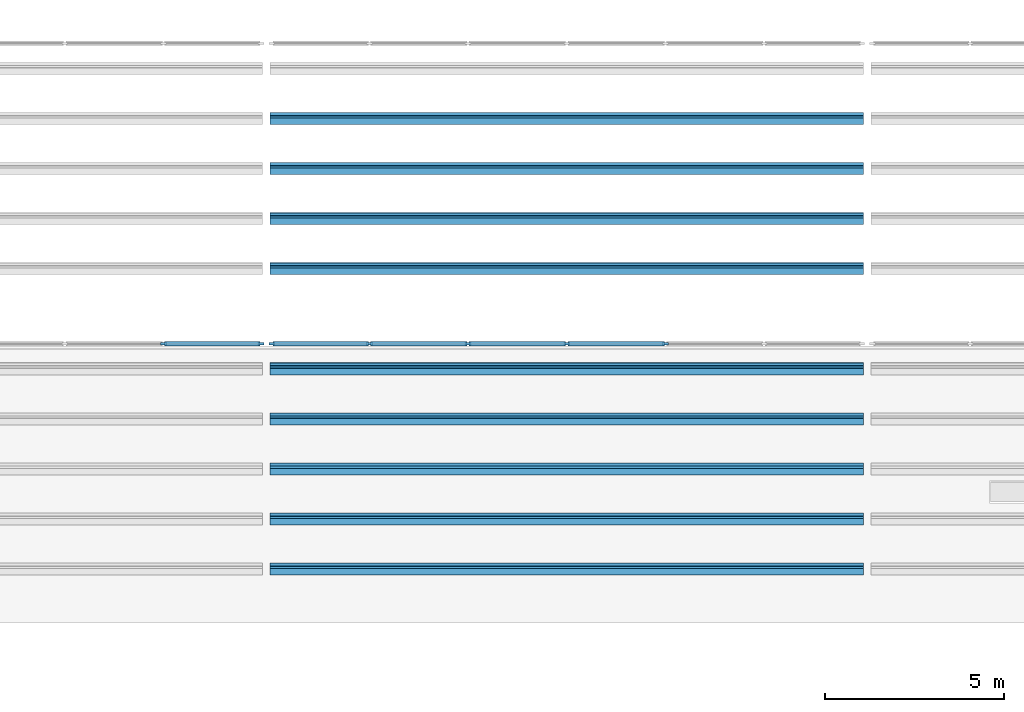
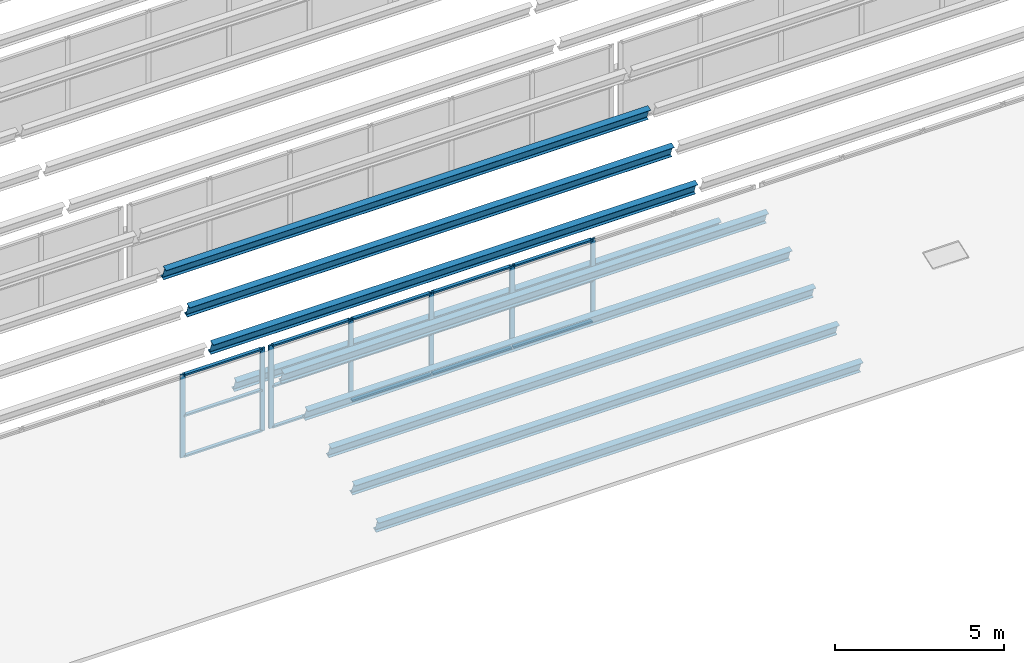
# One storey, part 18 of 116: 31 members, 2 elements without a shape of their own.
"""IFC4 building model written with IfcOpenShell, lengths in metres."""

from ifc_helpers import new_model, si_unit, direction, frame, origin, origin_2d, place, context, subcontext, project, spatial, rectangle, i_section, extrude, material, material_profile, profile_set, type_object, element, aggregate, save


model = new_model("IFC4")

# Units and contexts
model_context = context("Model", 3, precision=1e-05, world=origin(), true_north=direction((0.0, 1.0)))
body_context = subcontext(model_context, "Body", "Model", "MODEL_VIEW")
ifc_project = project(units=[si_unit("LENGTHUNIT", "METRE"), si_unit("AREAUNIT", "SQUARE_METRE"), si_unit("VOLUMEUNIT", "CUBIC_METRE"), si_unit("PLANEANGLEUNIT", "RADIAN"), si_unit("MASSUNIT", "GRAM", prefix="KILO")], contexts=[model_context])

# Site, building, storey
site_placement = place(None, origin())
site = spatial("IfcSite", under=ifc_project, at=site_placement, CompositionType="ELEMENT")
building_placement = place(site_placement, origin())
building = spatial("IfcBuilding", under=site, at=building_placement, Name="Fescue Hill Polytechnic", CompositionType="ELEMENT")
storey_placement = place(building_placement, frame((0.0, 0.0, 13.5)))
storey = spatial("IfcBuildingStorey", under=building, at=storey_placement, Name="L03", CompositionType="ELEMENT", Elevation=13.5)

# Curtain wall, members
ifc_material_1 = material(Name="Aluminium and glass", Category="aluminium")
curtain_wall_type = type_object("IfcCurtainWallType", Name="Sawtooth north glazing curtain wall", PredefinedType="NOTDEFINED", material=ifc_material_1)
curtain_wall_1_placement = place(storey_placement, origin())
curtain_wall_1 = element("IfcCurtainWall", 1, at=curtain_wall_1_placement, inside=storey, type_object=curtain_wall_type, Name="Sawtooth 1 north glazing bay 4", PredefinedType="NOTDEFINED")
ifc_material_2 = material(Name="Aluminium", Category="aluminium")
ifc_material_profile_1 = material_profile(ifc_material_2, rectangle(XDim=0.06005859375, YDim=0.159912109375, at=origin_2d()), Name="Curtain wall mullion 60x160")
ifc_profile_set_1 = profile_set([ifc_material_profile_1], Name="Aluminium")
member_type_1 = type_object("IfcMemberType", Name="Curtain wall mullion 60x160", PredefinedType="MULLION", material=ifc_profile_set_1)
member_1_placement = place(storey_placement, frame((64.320068359375, 25.199951171875, 0.0), z_axis=(0.0, 0.0, 1.0), x_axis=(0.0, 1.0, 0.0)))
member_1 = element("IfcMember", 2, at=member_1_placement, type_object=member_type_1, Name="CW4 mullion 6", PredefinedType="MULLION", context=body_context, shape_type="SweptSolid", body=[
    extrude(rectangle(XDim=0.06005859375, YDim=0.159912109375, at=origin_2d()), origin(), (0.0, 0.0, 1.0), 3.0),
])
member_2_placement = place(storey_placement, frame((67.050048828125, 25.199951171875, 0.0), z_axis=(0.0, 0.0, 1.0), x_axis=(0.0, 1.0, 0.0)))
member_2 = element("IfcMember", 3, at=member_2_placement, type_object=member_type_1, Name="CW4 mullion 7", PredefinedType="MULLION", context=body_context, shape_type="SweptSolid", body=[
    extrude(rectangle(XDim=0.06005859375, YDim=0.159912109375, at=origin_2d()), origin(), (0.0, 0.0, 1.0), 3.0),
])

curtain_wall_2_placement = place(storey_placement, origin())
curtain_wall_2 = element("IfcCurtainWall", 4, at=curtain_wall_2_placement, inside=storey, type_object=curtain_wall_type, Name="Sawtooth 1 north glazing bay 5", PredefinedType="NOTDEFINED")
member_3_placement = place(storey_placement, frame((67.35009765625, 25.199951171875, 0.0), z_axis=(0.0, 0.0, 1.0), x_axis=(0.0, 1.0, 0.0)))
member_3 = element("IfcMember", 5, at=member_3_placement, type_object=member_type_1, Name="CW5 mullion 1", PredefinedType="MULLION", context=body_context, shape_type="SweptSolid", body=[
    extrude(rectangle(XDim=0.06005859375, YDim=0.159912109375, at=origin_2d()), origin(), (0.0, 0.0, 1.0), 3.0),
])
member_4_placement = place(storey_placement, frame((70.080078125, 25.199951171875, 0.0), z_axis=(0.0, 0.0, 1.0), x_axis=(0.0, 1.0, 0.0)))
member_4 = element("IfcMember", 6, at=member_4_placement, type_object=member_type_1, Name="CW5 mullion 2", PredefinedType="MULLION", context=body_context, shape_type="SweptSolid", body=[
    extrude(rectangle(XDim=0.06005859375, YDim=0.159912109375, at=origin_2d()), origin(), (0.0, 0.0, 1.0), 3.0),
])
member_5_placement = place(storey_placement, frame((72.840087890625, 25.199951171875, 0.0), z_axis=(0.0, 0.0, 1.0), x_axis=(0.0, 1.0, 0.0)))
member_5 = element("IfcMember", 7, at=member_5_placement, type_object=member_type_1, Name="CW5 mullion 3", PredefinedType="MULLION", context=body_context, shape_type="SweptSolid", body=[
    extrude(rectangle(XDim=0.06005859375, YDim=0.159912109375, at=origin_2d()), origin(), (0.0, 0.0, 1.0), 3.0),
])
member_6_placement = place(storey_placement, frame((75.60009765625, 25.199951171875, 0.0), z_axis=(0.0, 0.0, 1.0), x_axis=(0.0, 1.0, 0.0)))
member_6 = element("IfcMember", 8, at=member_6_placement, type_object=member_type_1, Name="CW5 mullion 4", PredefinedType="MULLION", context=body_context, shape_type="SweptSolid", body=[
    extrude(rectangle(XDim=0.06005859375, YDim=0.159912109375, at=origin_2d()), origin(), (0.0, 0.0, 1.0), 3.0),
])
member_7_placement = place(storey_placement, frame((78.360107421875, 25.199951171875, 0.0), z_axis=(0.0, 0.0, 1.0), x_axis=(0.0, 1.0, 0.0)))
member_7 = element("IfcMember", 9, at=member_7_placement, type_object=member_type_1, Name="CW5 mullion 5", PredefinedType="MULLION", context=body_context, shape_type="SweptSolid", body=[
    extrude(rectangle(XDim=0.06005859375, YDim=0.159912109375, at=origin_2d()), origin(), (0.0, 0.0, 1.0), 3.0),
])

# Member
ifc_material_profile_2 = material_profile(ifc_material_2, rectangle(XDim=0.1201171875, YDim=0.06005859375, at=origin_2d()), Name="Curtain wall transom 60x120")
ifc_profile_set_2 = profile_set([ifc_material_profile_2], Name="Aluminium")
member_type_2 = type_object("IfcMemberType", Name="Curtain wall transom 60x120", PredefinedType="USERDEFINED", material=ifc_profile_set_2)
member_8_placement = place(storey_placement, frame((64.35009765625, 25.199951171875, 0.030029296875), z_axis=(1.0, 0.0, 0.0), x_axis=(0.0, 1.0, 0.0)))
member_8 = element("IfcMember", 10, at=member_8_placement, type_object=member_type_2, Name="CW4 transom 6.1", ObjectType="TRANSOM", PredefinedType="USERDEFINED", context=body_context, shape_type="SweptSolid", body=[
    extrude(rectangle(XDim=0.1201171875, YDim=0.06005859375, at=origin_2d()), origin(), (0.0, 0.0, 1.0), 2.669921875),
])

member_9_placement = place(storey_placement, frame((64.35009765625, 25.199951171875, 1.5), z_axis=(1.0, 0.0, 0.0), x_axis=(0.0, 1.0, 0.0)))
member_9 = element("IfcMember", 11, at=member_9_placement, type_object=member_type_2, Name="CW4 transom 6.2", ObjectType="TRANSOM", PredefinedType="USERDEFINED", context=body_context, shape_type="SweptSolid", body=[
    extrude(rectangle(XDim=0.1201171875, YDim=0.06005859375, at=origin_2d()), origin(), (0.0, 0.0, 1.0), 2.669921875),
])

member_10_placement = place(storey_placement, frame((64.35009765625, 25.199951171875, 2.969970703125), z_axis=(1.0, 0.0, 0.0), x_axis=(0.0, 1.0, 0.0)))
member_10 = element("IfcMember", 12, at=member_10_placement, type_object=member_type_2, Name="CW4 transom 6.3", ObjectType="TRANSOM", PredefinedType="USERDEFINED", context=body_context, shape_type="SweptSolid", body=[
    extrude(rectangle(XDim=0.1201171875, YDim=0.06005859375, at=origin_2d()), origin(), (0.0, 0.0, 1.0), 2.669921875),
])

aggregate(curtain_wall_1, [member_1, member_2, member_8, member_9, member_10])

member_11_placement = place(storey_placement, frame((67.3798828125, 25.199951171875, 0.030029296875), z_axis=(1.0, 0.0, 0.0), x_axis=(0.0, 1.0, 0.0)))
member_11 = element("IfcMember", 13, at=member_11_placement, type_object=member_type_2, Name="CW5 transom 1.1", ObjectType="TRANSOM", PredefinedType="USERDEFINED", context=body_context, shape_type="SweptSolid", body=[
    extrude(rectangle(XDim=0.1201171875, YDim=0.06005859375, at=origin_2d()), origin(), (0.0, 0.0, 1.0), 2.670166015625),
])

member_12_placement = place(storey_placement, frame((67.3798828125, 25.199951171875, 1.5), z_axis=(1.0, 0.0, 0.0), x_axis=(0.0, 1.0, 0.0)))
member_12 = element("IfcMember", 14, at=member_12_placement, type_object=member_type_2, Name="CW5 transom 1.2", ObjectType="TRANSOM", PredefinedType="USERDEFINED", context=body_context, shape_type="SweptSolid", body=[
    extrude(rectangle(XDim=0.1201171875, YDim=0.06005859375, at=origin_2d()), origin(), (0.0, 0.0, 1.0), 2.670166015625),
])

member_13_placement = place(storey_placement, frame((67.3798828125, 25.199951171875, 2.969970703125), z_axis=(1.0, 0.0, 0.0), x_axis=(0.0, 1.0, 0.0)))
member_13 = element("IfcMember", 15, at=member_13_placement, type_object=member_type_2, Name="CW5 transom 1.3", ObjectType="TRANSOM", PredefinedType="USERDEFINED", context=body_context, shape_type="SweptSolid", body=[
    extrude(rectangle(XDim=0.1201171875, YDim=0.06005859375, at=origin_2d()), origin(), (0.0, 0.0, 1.0), 2.670166015625),
])

member_14_placement = place(storey_placement, frame((70.110107421875, 25.199951171875, 0.030029296875), z_axis=(1.0, 0.0, 0.0), x_axis=(0.0, 1.0, 0.0)))
member_14 = element("IfcMember", 16, at=member_14_placement, type_object=member_type_2, Name="CW5 transom 2.1", ObjectType="TRANSOM", PredefinedType="USERDEFINED", context=body_context, shape_type="SweptSolid", body=[
    extrude(rectangle(XDim=0.1201171875, YDim=0.06005859375, at=origin_2d()), origin(), (0.0, 0.0, 1.0), 2.699951171875),
])

member_15_placement = place(storey_placement, frame((70.110107421875, 25.199951171875, 1.5), z_axis=(1.0, 0.0, 0.0), x_axis=(0.0, 1.0, 0.0)))
member_15 = element("IfcMember", 17, at=member_15_placement, type_object=member_type_2, Name="CW5 transom 2.2", ObjectType="TRANSOM", PredefinedType="USERDEFINED", context=body_context, shape_type="SweptSolid", body=[
    extrude(rectangle(XDim=0.1201171875, YDim=0.06005859375, at=origin_2d()), origin(), (0.0, 0.0, 1.0), 2.699951171875),
])

member_16_placement = place(storey_placement, frame((70.110107421875, 25.199951171875, 2.969970703125), z_axis=(1.0, 0.0, 0.0), x_axis=(0.0, 1.0, 0.0)))
member_16 = element("IfcMember", 18, at=member_16_placement, type_object=member_type_2, Name="CW5 transom 2.3", ObjectType="TRANSOM", PredefinedType="USERDEFINED", context=body_context, shape_type="SweptSolid", body=[
    extrude(rectangle(XDim=0.1201171875, YDim=0.06005859375, at=origin_2d()), origin(), (0.0, 0.0, 1.0), 2.699951171875),
])

member_17_placement = place(storey_placement, frame((72.8701171875, 25.199951171875, 0.030029296875), z_axis=(1.0, 0.0, 0.0), x_axis=(0.0, 1.0, 0.0)))
member_17 = element("IfcMember", 19, at=member_17_placement, type_object=member_type_2, Name="CW5 transom 3.1", ObjectType="TRANSOM", PredefinedType="USERDEFINED", context=body_context, shape_type="SweptSolid", body=[
    extrude(rectangle(XDim=0.1201171875, YDim=0.06005859375, at=origin_2d()), origin(), (0.0, 0.0, 1.0), 2.699951171875),
])

member_18_placement = place(storey_placement, frame((72.8701171875, 25.199951171875, 1.5), z_axis=(1.0, 0.0, 0.0), x_axis=(0.0, 1.0, 0.0)))
member_18 = element("IfcMember", 20, at=member_18_placement, type_object=member_type_2, Name="CW5 transom 3.2", ObjectType="TRANSOM", PredefinedType="USERDEFINED", context=body_context, shape_type="SweptSolid", body=[
    extrude(rectangle(XDim=0.1201171875, YDim=0.06005859375, at=origin_2d()), origin(), (0.0, 0.0, 1.0), 2.699951171875),
])

member_19_placement = place(storey_placement, frame((72.8701171875, 25.199951171875, 2.969970703125), z_axis=(1.0, 0.0, 0.0), x_axis=(0.0, 1.0, 0.0)))
member_19 = element("IfcMember", 21, at=member_19_placement, type_object=member_type_2, Name="CW5 transom 3.3", ObjectType="TRANSOM", PredefinedType="USERDEFINED", context=body_context, shape_type="SweptSolid", body=[
    extrude(rectangle(XDim=0.1201171875, YDim=0.06005859375, at=origin_2d()), origin(), (0.0, 0.0, 1.0), 2.699951171875),
])

member_20_placement = place(storey_placement, frame((75.6298828125, 25.199951171875, 0.030029296875), z_axis=(1.0, 0.0, 0.0), x_axis=(0.0, 1.0, 0.0)))
member_20 = element("IfcMember", 22, at=member_20_placement, type_object=member_type_2, Name="CW5 transom 4.1", ObjectType="TRANSOM", PredefinedType="USERDEFINED", context=body_context, shape_type="SweptSolid", body=[
    extrude(rectangle(XDim=0.1201171875, YDim=0.06005859375, at=origin_2d()), origin(), (0.0, 0.0, 1.0), 2.7001953125),
])

member_21_placement = place(storey_placement, frame((75.6298828125, 25.199951171875, 1.5), z_axis=(1.0, 0.0, 0.0), x_axis=(0.0, 1.0, 0.0)))
member_21 = element("IfcMember", 23, at=member_21_placement, type_object=member_type_2, Name="CW5 transom 4.2", ObjectType="TRANSOM", PredefinedType="USERDEFINED", context=body_context, shape_type="SweptSolid", body=[
    extrude(rectangle(XDim=0.1201171875, YDim=0.06005859375, at=origin_2d()), origin(), (0.0, 0.0, 1.0), 2.7001953125),
])

member_22_placement = place(storey_placement, frame((75.6298828125, 25.199951171875, 2.969970703125), z_axis=(1.0, 0.0, 0.0), x_axis=(0.0, 1.0, 0.0)))
member_22 = element("IfcMember", 24, at=member_22_placement, type_object=member_type_2, Name="CW5 transom 4.3", ObjectType="TRANSOM", PredefinedType="USERDEFINED", context=body_context, shape_type="SweptSolid", body=[
    extrude(rectangle(XDim=0.1201171875, YDim=0.06005859375, at=origin_2d()), origin(), (0.0, 0.0, 1.0), 2.7001953125),
])

aggregate(curtain_wall_2, [member_3, member_4, member_5, member_6, member_7, member_11, member_12, member_13, member_14, member_15, member_16, member_17, member_18, member_19, member_20, member_21, member_22])

# Members
ifc_material_3 = material(Name="Steel 350W (350 MPa)", Category="steel")
ifc_material_profile_3 = material_profile(ifc_material_3, i_section(OverallWidth=0.18994140625, OverallDepth=0.45703125, WebThickness=0.009033203125, FlangeThickness=0.014404296875, FilletRadius=0.0166015625, at=origin_2d()), Name="W460x74")
ifc_profile_set_3 = profile_set([ifc_material_profile_3], Name="Steel 350W (350 MPa)")
member_type_3 = type_object("IfcMemberType", Name="Tooth purlin W460x74", PredefinedType="PURLIN", material=ifc_profile_set_3)
for number, where, z_axis, x_axis, name in (
    (25, (67.304443359375, 18.89990234375, 0.294921875), (1.0, 0.0, 0.0), (0.0, 0.941741911595, 0.336336396997), "Tooth 1 purlin 2 bay 5"),
    (26, (67.304443359375, 20.300048828125, 0.794921875), (1.0, 0.0, 0.0), (0.0, 0.941741911595, 0.336336396997), "Tooth 1 purlin 3 bay 5"),
    (27, (67.304443359375, 21.699951171875, 1.294921875), (1.0, 0.0, 0.0), (0.0, 0.941741911595, 0.336336396997), "Tooth 1 purlin 4 bay 5"),
    (28, (67.304443359375, 23.10009765625, 1.794921875), (1.0, 0.0, 0.0), (0.0, 0.941741911595, 0.336336396997), "Tooth 1 purlin 5 bay 5"),
    (29, (67.304443359375, 27.300048828125, 0.294921875), (1.0, 0.0, 0.0), (0.0, 0.941741911595, 0.336336396997), "Tooth 2 purlin 2 bay 5"),
    (30, (67.304443359375, 28.699951171875, 0.794921875), (1.0, 0.0, 0.0), (0.0, 0.941741911595, 0.336336396997), "Tooth 2 purlin 3 bay 5"),
    (31, (67.304443359375, 30.10009765625, 1.294921875), (1.0, 0.0, 0.0), (0.0, 0.941741911595, 0.336336396997), "Tooth 2 purlin 4 bay 5"),
    (32, (67.304443359375, 31.5, 1.794921875), (1.0, 0.0, 0.0), (0.0, 0.941741911595, 0.336336396997), "Tooth 2 purlin 5 bay 5"),
):
    element("IfcMember", number, at=place(storey_placement, frame(where, z_axis=z_axis, x_axis=x_axis)), inside=storey, type_object=member_type_3, Name=name, PredefinedType="PURLIN", context=body_context, shape_type="SweptSolid", body=[
        extrude(i_section(OverallWidth=0.18994140625, OverallDepth=0.45703125, WebThickness=0.009033203125, FlangeThickness=0.014404296875, FilletRadius=0.0166015625, at=origin_2d()), origin(), (0.0, 0.0, 1.0), 16.591064453125),
    ])
ifc_material_profile_4 = material_profile(ifc_material_3, i_section(OverallWidth=0.193115234375, OverallDepth=0.466064453125, WebThickness=0.011474609375, FlangeThickness=0.01904296875, FilletRadius=0.01708984375, at=origin_2d()), Name="W460x97")
ifc_profile_set_4 = profile_set([ifc_material_profile_4], Name="Steel 350W (350 MPa)")
member_type_4 = type_object("IfcMemberType", Name="Tooth ridge purlin W460x97", PredefinedType="PURLIN", material=ifc_profile_set_4)
member_23_placement = place(storey_placement, frame((67.304443359375, 24.5, 2.290283203125), z_axis=(1.0, 0.0, 0.0), x_axis=(0.0, 0.941741911595, 0.336336396997)))
element("IfcMember", 33, at=member_23_placement, inside=storey, type_object=member_type_4, Name="Tooth 1 ridge purlin bay 5", PredefinedType="PURLIN", context=body_context, shape_type="SweptSolid", body=[
    extrude(i_section(OverallWidth=0.193115234375, OverallDepth=0.466064453125, WebThickness=0.011474609375, FlangeThickness=0.01904296875, FilletRadius=0.01708984375, at=origin_2d()), origin(), (0.0, 0.0, 1.0), 16.591064453125),
])

save(model, "model.ifc")
